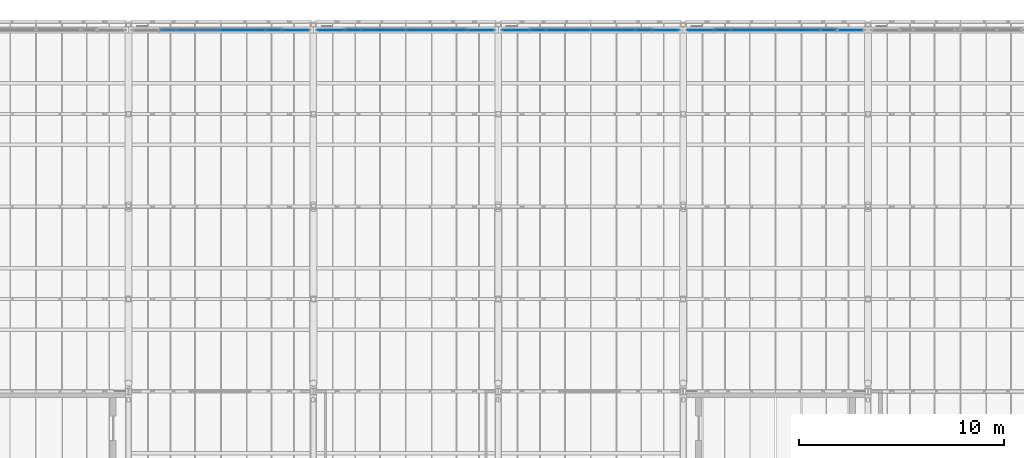
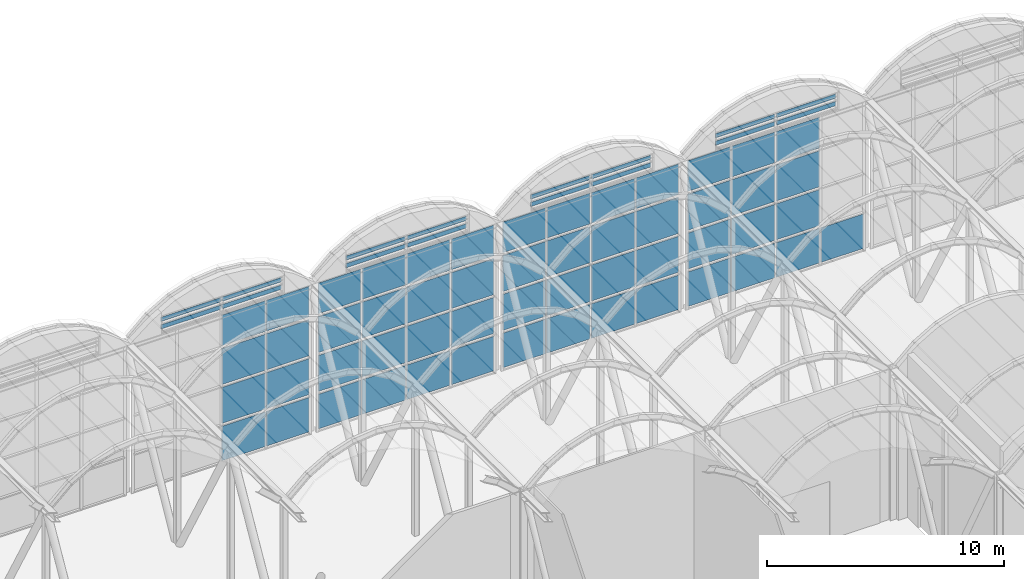
# One storey, part 122 of 144: 69 plates, 8 elements without a shape of their own.
"""IFC4 building model written with IfcOpenShell, lengths in metres."""

from ifc_helpers import new_model, si_unit, direction, frame, origin, origin_2d, place, context, subcontext, project, spatial, rectangle, extrude, material, layer, layer_set, type_object, element, aggregate, save


model = new_model("IFC4")

# Units and contexts
model_context = context("Model", 3, precision=1e-05, world=origin(), true_north=direction((0.0, 1.0)))
body_context = subcontext(model_context, "Body", "Model", "MODEL_VIEW")
ifc_project = project(units=[si_unit("LENGTHUNIT", "METRE"), si_unit("AREAUNIT", "SQUARE_METRE"), si_unit("VOLUMEUNIT", "CUBIC_METRE"), si_unit("PLANEANGLEUNIT", "RADIAN"), si_unit("MASSUNIT", "GRAM", prefix="KILO")], contexts=[model_context])

# Site, building, storey
site_placement = place(None, origin())
site = spatial("IfcSite", under=ifc_project, at=site_placement, CompositionType="ELEMENT")
building_placement = place(site_placement, origin())
building = spatial("IfcBuilding", under=site, at=building_placement, Name="Shorebreak Coast Museum", CompositionType="ELEMENT")
storey_placement = place(building_placement, frame((0.0, 0.0, 36.0)))
storey = spatial("IfcBuildingStorey", under=building, at=storey_placement, Name="L06", CompositionType="ELEMENT", Elevation=36.0)

# Curtain wall, plates
ifc_material_1 = material(Name="Aluminium", Category="aluminium")
ifc_layer_1 = layer(ifc_material_1, 0.14990234375)
ifc_layer_set_1 = layer_set([ifc_layer_1], Name="Aluminium")
curtain_wall_type_1 = type_object("IfcCurtainWallType", Name="Barrel end glazing", PredefinedType="NOTDEFINED", material=ifc_layer_set_1)
curtain_wall_1_placement = place(storey_placement, origin())
curtain_wall_1 = element("IfcCurtainWall", 1, at=curtain_wall_1_placement, inside=storey, type_object=curtain_wall_type_1, Name="Barrel end glazing L06 3", PredefinedType="NOTDEFINED")
ifc_material_2 = material(Name="Glass", Category="glass")
ifc_layer_2 = layer(ifc_material_2, 0.035888671875)
ifc_layer_set_2 = layer_set([ifc_layer_2], Name="Glass")
plate_type_1 = type_object("IfcPlateType", Name="Barrel glass panel 36", PredefinedType="CURTAIN_PANEL", material=ifc_layer_set_2)
plate_1_placement = place(storey_placement, frame((77.58447265625, 134.60009765625, 0.150146484375), z_axis=(0.0, 0.0, 1.0), x_axis=(1.0, 0.0, 0.0)))
plate_1 = element("IfcPlate", 2, at=plate_1_placement, type_object=plate_type_1, Name="CW7 panel 3.1", PredefinedType="CURTAIN_PANEL", context=body_context, shape_type="SweptSolid", body=[
    extrude(rectangle(XDim=2.10888671875, YDim=0.035888671875, at=origin_2d()), origin(), (0.0, 0.0, 1.0), 1.77490234375),
])
plate_2_placement = place(storey_placement, frame((77.58447265625, 134.60009765625, 2.074951171875), z_axis=(0.0, 0.0, 1.0), x_axis=(1.0, 0.0, 0.0)))
plate_2 = element("IfcPlate", 3, at=plate_2_placement, type_object=plate_type_1, Name="CW7 panel 3.2", PredefinedType="CURTAIN_PANEL", context=body_context, shape_type="SweptSolid", body=[
    extrude(rectangle(XDim=2.10888671875, YDim=0.035888671875, at=origin_2d()), origin(), (0.0, 0.0, 1.0), 1.85009765625),
])
plate_3_placement = place(storey_placement, frame((77.58447265625, 134.60009765625, 4.074951171875), z_axis=(0.0, 0.0, 1.0), x_axis=(1.0, 0.0, 0.0)))
plate_3 = element("IfcPlate", 4, at=plate_3_placement, type_object=plate_type_1, Name="CW7 panel 3.3", PredefinedType="CURTAIN_PANEL", context=body_context, shape_type="SweptSolid", body=[
    extrude(rectangle(XDim=2.10888671875, YDim=0.035888671875, at=origin_2d()), origin(), (0.0, 0.0, 1.0), 1.85009765625),
])
plate_4_placement = place(storey_placement, frame((77.58447265625, 134.60009765625, 6.0751953125), z_axis=(0.0, 0.0, 1.0), x_axis=(1.0, 0.0, 0.0)))
plate_4 = element("IfcPlate", 5, at=plate_4_placement, type_object=plate_type_1, Name="CW7 panel 3.4", PredefinedType="CURTAIN_PANEL", context=body_context, shape_type="SweptSolid", body=[
    extrude(rectangle(XDim=2.10888671875, YDim=0.035888671875, at=origin_2d()), origin(), (0.0, 0.0, 1.0), 1.574951171875),
])
plate_5_placement = place(storey_placement, frame((79.738525390625, 134.60009765625, 0.150146484375), z_axis=(0.0, 0.0, 1.0), x_axis=(1.0, 0.0, 0.0)))
plate_5 = element("IfcPlate", 6, at=plate_5_placement, type_object=plate_type_1, Name="CW7 panel 4.1", PredefinedType="CURTAIN_PANEL", context=body_context, shape_type="SweptSolid", body=[
    extrude(rectangle(XDim=2.0791015625, YDim=0.035888671875, at=origin_2d()), origin(), (0.0, 0.0, 1.0), 1.77490234375),
])
plate_6_placement = place(storey_placement, frame((79.738525390625, 134.60009765625, 2.074951171875), z_axis=(0.0, 0.0, 1.0), x_axis=(1.0, 0.0, 0.0)))
plate_6 = element("IfcPlate", 7, at=plate_6_placement, type_object=plate_type_1, Name="CW7 panel 4.2", PredefinedType="CURTAIN_PANEL", context=body_context, shape_type="SweptSolid", body=[
    extrude(rectangle(XDim=2.0791015625, YDim=0.035888671875, at=origin_2d()), origin(), (0.0, 0.0, 1.0), 1.85009765625),
])
plate_7_placement = place(storey_placement, frame((79.738525390625, 134.60009765625, 4.074951171875), z_axis=(0.0, 0.0, 1.0), x_axis=(1.0, 0.0, 0.0)))
plate_7 = element("IfcPlate", 8, at=plate_7_placement, type_object=plate_type_1, Name="CW7 panel 4.3", PredefinedType="CURTAIN_PANEL", context=body_context, shape_type="SweptSolid", body=[
    extrude(rectangle(XDim=2.0791015625, YDim=0.035888671875, at=origin_2d()), origin(), (0.0, 0.0, 1.0), 1.85009765625),
])
plate_8_placement = place(storey_placement, frame((79.738525390625, 134.60009765625, 6.0751953125), z_axis=(0.0, 0.0, 1.0), x_axis=(1.0, 0.0, 0.0)))
plate_8 = element("IfcPlate", 9, at=plate_8_placement, type_object=plate_type_1, Name="CW7 panel 4.4", PredefinedType="CURTAIN_PANEL", context=body_context, shape_type="SweptSolid", body=[
    extrude(rectangle(XDim=2.0791015625, YDim=0.035888671875, at=origin_2d()), origin(), (0.0, 0.0, 1.0), 1.574951171875),
])
aggregate(curtain_wall_1, [plate_1, plate_2, plate_3, plate_4, plate_5, plate_6, plate_7, plate_8])

curtain_wall_2_placement = place(storey_placement, origin())
curtain_wall_2 = element("IfcCurtainWall", 10, at=curtain_wall_2_placement, inside=storey, type_object=curtain_wall_type_1, Name="Barrel end glazing L06 4", PredefinedType="NOTDEFINED")
plate_9_placement = place(storey_placement, frame((82.261474609375, 134.60009765625, 0.150146484375), z_axis=(0.0, 0.0, 1.0), x_axis=(1.0, 0.0, 0.0)))
plate_9 = element("IfcPlate", 11, at=plate_9_placement, type_object=plate_type_1, Name="CW7 panel 1.1", PredefinedType="CURTAIN_PANEL", context=body_context, shape_type="SweptSolid", body=[
    extrude(rectangle(XDim=2.0791015625, YDim=0.035888671875, at=origin_2d()), origin(), (0.0, 0.0, 1.0), 1.77490234375),
])
plate_10_placement = place(storey_placement, frame((82.261474609375, 134.60009765625, 2.074951171875), z_axis=(0.0, 0.0, 1.0), x_axis=(1.0, 0.0, 0.0)))
plate_10 = element("IfcPlate", 12, at=plate_10_placement, type_object=plate_type_1, Name="CW7 panel 1.2", PredefinedType="CURTAIN_PANEL", context=body_context, shape_type="SweptSolid", body=[
    extrude(rectangle(XDim=2.0791015625, YDim=0.035888671875, at=origin_2d()), origin(), (0.0, 0.0, 1.0), 1.85009765625),
])
plate_11_placement = place(storey_placement, frame((82.261474609375, 134.60009765625, 4.074951171875), z_axis=(0.0, 0.0, 1.0), x_axis=(1.0, 0.0, 0.0)))
plate_11 = element("IfcPlate", 13, at=plate_11_placement, type_object=plate_type_1, Name="CW7 panel 1.3", PredefinedType="CURTAIN_PANEL", context=body_context, shape_type="SweptSolid", body=[
    extrude(rectangle(XDim=2.0791015625, YDim=0.035888671875, at=origin_2d()), origin(), (0.0, 0.0, 1.0), 1.85009765625),
])
plate_12_placement = place(storey_placement, frame((82.261474609375, 134.60009765625, 6.0751953125), z_axis=(0.0, 0.0, 1.0), x_axis=(1.0, 0.0, 0.0)))
plate_12 = element("IfcPlate", 14, at=plate_12_placement, type_object=plate_type_1, Name="CW7 panel 1.4", PredefinedType="CURTAIN_PANEL", context=body_context, shape_type="SweptSolid", body=[
    extrude(rectangle(XDim=2.0791015625, YDim=0.035888671875, at=origin_2d()), origin(), (0.0, 0.0, 1.0), 1.574951171875),
])
plate_13_placement = place(storey_placement, frame((84.41552734375, 134.60009765625, 0.150146484375), z_axis=(0.0, 0.0, 1.0), x_axis=(1.0, 0.0, 0.0)))
plate_13 = element("IfcPlate", 15, at=plate_13_placement, type_object=plate_type_1, Name="CW7 panel 2.1", PredefinedType="CURTAIN_PANEL", context=body_context, shape_type="SweptSolid", body=[
    extrude(rectangle(XDim=2.10888671875, YDim=0.035888671875, at=origin_2d()), origin(), (0.0, 0.0, 1.0), 1.77490234375),
])
plate_14_placement = place(storey_placement, frame((84.41552734375, 134.60009765625, 2.074951171875), z_axis=(0.0, 0.0, 1.0), x_axis=(1.0, 0.0, 0.0)))
plate_14 = element("IfcPlate", 16, at=plate_14_placement, type_object=plate_type_1, Name="CW7 panel 2.2", PredefinedType="CURTAIN_PANEL", context=body_context, shape_type="SweptSolid", body=[
    extrude(rectangle(XDim=2.10888671875, YDim=0.035888671875, at=origin_2d()), origin(), (0.0, 0.0, 1.0), 1.85009765625),
])
plate_15_placement = place(storey_placement, frame((84.41552734375, 134.60009765625, 4.074951171875), z_axis=(0.0, 0.0, 1.0), x_axis=(1.0, 0.0, 0.0)))
plate_15 = element("IfcPlate", 17, at=plate_15_placement, type_object=plate_type_1, Name="CW7 panel 2.3", PredefinedType="CURTAIN_PANEL", context=body_context, shape_type="SweptSolid", body=[
    extrude(rectangle(XDim=2.10888671875, YDim=0.035888671875, at=origin_2d()), origin(), (0.0, 0.0, 1.0), 1.85009765625),
])
plate_16_placement = place(storey_placement, frame((84.41552734375, 134.60009765625, 6.0751953125), z_axis=(0.0, 0.0, 1.0), x_axis=(1.0, 0.0, 0.0)))
plate_16 = element("IfcPlate", 18, at=plate_16_placement, type_object=plate_type_1, Name="CW7 panel 2.4", PredefinedType="CURTAIN_PANEL", context=body_context, shape_type="SweptSolid", body=[
    extrude(rectangle(XDim=2.10888671875, YDim=0.035888671875, at=origin_2d()), origin(), (0.0, 0.0, 1.0), 1.574951171875),
])
plate_17_placement = place(storey_placement, frame((86.58447265625, 134.60009765625, 0.150146484375), z_axis=(0.0, 0.0, 1.0), x_axis=(1.0, 0.0, 0.0)))
plate_17 = element("IfcPlate", 19, at=plate_17_placement, type_object=plate_type_1, Name="CW7 panel 3.1", PredefinedType="CURTAIN_PANEL", context=body_context, shape_type="SweptSolid", body=[
    extrude(rectangle(XDim=2.10888671875, YDim=0.035888671875, at=origin_2d()), origin(), (0.0, 0.0, 1.0), 1.77490234375),
])
plate_18_placement = place(storey_placement, frame((86.58447265625, 134.60009765625, 2.074951171875), z_axis=(0.0, 0.0, 1.0), x_axis=(1.0, 0.0, 0.0)))
plate_18 = element("IfcPlate", 20, at=plate_18_placement, type_object=plate_type_1, Name="CW7 panel 3.2", PredefinedType="CURTAIN_PANEL", context=body_context, shape_type="SweptSolid", body=[
    extrude(rectangle(XDim=2.10888671875, YDim=0.035888671875, at=origin_2d()), origin(), (0.0, 0.0, 1.0), 1.85009765625),
])
plate_19_placement = place(storey_placement, frame((86.58447265625, 134.60009765625, 4.074951171875), z_axis=(0.0, 0.0, 1.0), x_axis=(1.0, 0.0, 0.0)))
plate_19 = element("IfcPlate", 21, at=plate_19_placement, type_object=plate_type_1, Name="CW7 panel 3.3", PredefinedType="CURTAIN_PANEL", context=body_context, shape_type="SweptSolid", body=[
    extrude(rectangle(XDim=2.10888671875, YDim=0.035888671875, at=origin_2d()), origin(), (0.0, 0.0, 1.0), 1.85009765625),
])
plate_20_placement = place(storey_placement, frame((86.58447265625, 134.60009765625, 6.0751953125), z_axis=(0.0, 0.0, 1.0), x_axis=(1.0, 0.0, 0.0)))
plate_20 = element("IfcPlate", 22, at=plate_20_placement, type_object=plate_type_1, Name="CW7 panel 3.4", PredefinedType="CURTAIN_PANEL", context=body_context, shape_type="SweptSolid", body=[
    extrude(rectangle(XDim=2.10888671875, YDim=0.035888671875, at=origin_2d()), origin(), (0.0, 0.0, 1.0), 1.574951171875),
])
plate_21_placement = place(storey_placement, frame((88.738525390625, 134.60009765625, 0.150146484375), z_axis=(0.0, 0.0, 1.0), x_axis=(1.0, 0.0, 0.0)))
plate_21 = element("IfcPlate", 23, at=plate_21_placement, type_object=plate_type_1, Name="CW7 panel 4.1", PredefinedType="CURTAIN_PANEL", context=body_context, shape_type="SweptSolid", body=[
    extrude(rectangle(XDim=2.0791015625, YDim=0.035888671875, at=origin_2d()), origin(), (0.0, 0.0, 1.0), 1.77490234375),
])
plate_22_placement = place(storey_placement, frame((88.738525390625, 134.60009765625, 2.074951171875), z_axis=(0.0, 0.0, 1.0), x_axis=(1.0, 0.0, 0.0)))
plate_22 = element("IfcPlate", 24, at=plate_22_placement, type_object=plate_type_1, Name="CW7 panel 4.2", PredefinedType="CURTAIN_PANEL", context=body_context, shape_type="SweptSolid", body=[
    extrude(rectangle(XDim=2.0791015625, YDim=0.035888671875, at=origin_2d()), origin(), (0.0, 0.0, 1.0), 1.85009765625),
])
plate_23_placement = place(storey_placement, frame((88.738525390625, 134.60009765625, 4.074951171875), z_axis=(0.0, 0.0, 1.0), x_axis=(1.0, 0.0, 0.0)))
plate_23 = element("IfcPlate", 25, at=plate_23_placement, type_object=plate_type_1, Name="CW7 panel 4.3", PredefinedType="CURTAIN_PANEL", context=body_context, shape_type="SweptSolid", body=[
    extrude(rectangle(XDim=2.0791015625, YDim=0.035888671875, at=origin_2d()), origin(), (0.0, 0.0, 1.0), 1.85009765625),
])
plate_24_placement = place(storey_placement, frame((88.738525390625, 134.60009765625, 6.0751953125), z_axis=(0.0, 0.0, 1.0), x_axis=(1.0, 0.0, 0.0)))
plate_24 = element("IfcPlate", 26, at=plate_24_placement, type_object=plate_type_1, Name="CW7 panel 4.4", PredefinedType="CURTAIN_PANEL", context=body_context, shape_type="SweptSolid", body=[
    extrude(rectangle(XDim=2.0791015625, YDim=0.035888671875, at=origin_2d()), origin(), (0.0, 0.0, 1.0), 1.574951171875),
])
aggregate(curtain_wall_2, [plate_9, plate_10, plate_11, plate_12, plate_13, plate_14, plate_15, plate_16, plate_17, plate_18, plate_19, plate_20, plate_21, plate_22, plate_23, plate_24])

curtain_wall_3_placement = place(storey_placement, origin())
curtain_wall_3 = element("IfcCurtainWall", 27, at=curtain_wall_3_placement, inside=storey, type_object=curtain_wall_type_1, Name="Barrel end glazing L06 5", PredefinedType="NOTDEFINED")
plate_25_placement = place(storey_placement, frame((91.261474609375, 134.60009765625, 0.150146484375), z_axis=(0.0, 0.0, 1.0), x_axis=(1.0, 0.0, 0.0)))
plate_25 = element("IfcPlate", 28, at=plate_25_placement, type_object=plate_type_1, Name="CW7 panel 1.1", PredefinedType="CURTAIN_PANEL", context=body_context, shape_type="SweptSolid", body=[
    extrude(rectangle(XDim=2.0791015625, YDim=0.035888671875, at=origin_2d()), origin(), (0.0, 0.0, 1.0), 1.77490234375),
])
plate_26_placement = place(storey_placement, frame((91.261474609375, 134.60009765625, 2.074951171875), z_axis=(0.0, 0.0, 1.0), x_axis=(1.0, 0.0, 0.0)))
plate_26 = element("IfcPlate", 29, at=plate_26_placement, type_object=plate_type_1, Name="CW7 panel 1.2", PredefinedType="CURTAIN_PANEL", context=body_context, shape_type="SweptSolid", body=[
    extrude(rectangle(XDim=2.0791015625, YDim=0.035888671875, at=origin_2d()), origin(), (0.0, 0.0, 1.0), 1.85009765625),
])
plate_27_placement = place(storey_placement, frame((91.261474609375, 134.60009765625, 4.074951171875), z_axis=(0.0, 0.0, 1.0), x_axis=(1.0, 0.0, 0.0)))
plate_27 = element("IfcPlate", 30, at=plate_27_placement, type_object=plate_type_1, Name="CW7 panel 1.3", PredefinedType="CURTAIN_PANEL", context=body_context, shape_type="SweptSolid", body=[
    extrude(rectangle(XDim=2.0791015625, YDim=0.035888671875, at=origin_2d()), origin(), (0.0, 0.0, 1.0), 1.85009765625),
])
plate_28_placement = place(storey_placement, frame((91.261474609375, 134.60009765625, 6.0751953125), z_axis=(0.0, 0.0, 1.0), x_axis=(1.0, 0.0, 0.0)))
plate_28 = element("IfcPlate", 31, at=plate_28_placement, type_object=plate_type_1, Name="CW7 panel 1.4", PredefinedType="CURTAIN_PANEL", context=body_context, shape_type="SweptSolid", body=[
    extrude(rectangle(XDim=2.0791015625, YDim=0.035888671875, at=origin_2d()), origin(), (0.0, 0.0, 1.0), 1.574951171875),
])
plate_29_placement = place(storey_placement, frame((93.41552734375, 134.60009765625, 0.150146484375), z_axis=(0.0, 0.0, 1.0), x_axis=(1.0, 0.0, 0.0)))
plate_29 = element("IfcPlate", 32, at=plate_29_placement, type_object=plate_type_1, Name="CW7 panel 2.1", PredefinedType="CURTAIN_PANEL", context=body_context, shape_type="SweptSolid", body=[
    extrude(rectangle(XDim=2.10888671875, YDim=0.035888671875, at=origin_2d()), origin(), (0.0, 0.0, 1.0), 1.77490234375),
])
plate_30_placement = place(storey_placement, frame((93.41552734375, 134.60009765625, 2.074951171875), z_axis=(0.0, 0.0, 1.0), x_axis=(1.0, 0.0, 0.0)))
plate_30 = element("IfcPlate", 33, at=plate_30_placement, type_object=plate_type_1, Name="CW7 panel 2.2", PredefinedType="CURTAIN_PANEL", context=body_context, shape_type="SweptSolid", body=[
    extrude(rectangle(XDim=2.10888671875, YDim=0.035888671875, at=origin_2d()), origin(), (0.0, 0.0, 1.0), 1.85009765625),
])
plate_31_placement = place(storey_placement, frame((93.41552734375, 134.60009765625, 4.074951171875), z_axis=(0.0, 0.0, 1.0), x_axis=(1.0, 0.0, 0.0)))
plate_31 = element("IfcPlate", 34, at=plate_31_placement, type_object=plate_type_1, Name="CW7 panel 2.3", PredefinedType="CURTAIN_PANEL", context=body_context, shape_type="SweptSolid", body=[
    extrude(rectangle(XDim=2.10888671875, YDim=0.035888671875, at=origin_2d()), origin(), (0.0, 0.0, 1.0), 1.85009765625),
])
plate_32_placement = place(storey_placement, frame((93.41552734375, 134.60009765625, 6.0751953125), z_axis=(0.0, 0.0, 1.0), x_axis=(1.0, 0.0, 0.0)))
plate_32 = element("IfcPlate", 35, at=plate_32_placement, type_object=plate_type_1, Name="CW7 panel 2.4", PredefinedType="CURTAIN_PANEL", context=body_context, shape_type="SweptSolid", body=[
    extrude(rectangle(XDim=2.10888671875, YDim=0.035888671875, at=origin_2d()), origin(), (0.0, 0.0, 1.0), 1.574951171875),
])
plate_33_placement = place(storey_placement, frame((95.58447265625, 134.60009765625, 0.150146484375), z_axis=(0.0, 0.0, 1.0), x_axis=(1.0, 0.0, 0.0)))
plate_33 = element("IfcPlate", 36, at=plate_33_placement, type_object=plate_type_1, Name="CW7 panel 3.1", PredefinedType="CURTAIN_PANEL", context=body_context, shape_type="SweptSolid", body=[
    extrude(rectangle(XDim=2.10888671875, YDim=0.035888671875, at=origin_2d()), origin(), (0.0, 0.0, 1.0), 1.77490234375),
])
plate_34_placement = place(storey_placement, frame((95.58447265625, 134.60009765625, 2.074951171875), z_axis=(0.0, 0.0, 1.0), x_axis=(1.0, 0.0, 0.0)))
plate_34 = element("IfcPlate", 37, at=plate_34_placement, type_object=plate_type_1, Name="CW7 panel 3.2", PredefinedType="CURTAIN_PANEL", context=body_context, shape_type="SweptSolid", body=[
    extrude(rectangle(XDim=2.10888671875, YDim=0.035888671875, at=origin_2d()), origin(), (0.0, 0.0, 1.0), 1.85009765625),
])
plate_35_placement = place(storey_placement, frame((95.58447265625, 134.60009765625, 4.074951171875), z_axis=(0.0, 0.0, 1.0), x_axis=(1.0, 0.0, 0.0)))
plate_35 = element("IfcPlate", 38, at=plate_35_placement, type_object=plate_type_1, Name="CW7 panel 3.3", PredefinedType="CURTAIN_PANEL", context=body_context, shape_type="SweptSolid", body=[
    extrude(rectangle(XDim=2.10888671875, YDim=0.035888671875, at=origin_2d()), origin(), (0.0, 0.0, 1.0), 1.85009765625),
])
plate_36_placement = place(storey_placement, frame((95.58447265625, 134.60009765625, 6.0751953125), z_axis=(0.0, 0.0, 1.0), x_axis=(1.0, 0.0, 0.0)))
plate_36 = element("IfcPlate", 39, at=plate_36_placement, type_object=plate_type_1, Name="CW7 panel 3.4", PredefinedType="CURTAIN_PANEL", context=body_context, shape_type="SweptSolid", body=[
    extrude(rectangle(XDim=2.10888671875, YDim=0.035888671875, at=origin_2d()), origin(), (0.0, 0.0, 1.0), 1.574951171875),
])
plate_37_placement = place(storey_placement, frame((97.738525390625, 134.60009765625, 0.150146484375), z_axis=(0.0, 0.0, 1.0), x_axis=(1.0, 0.0, 0.0)))
plate_37 = element("IfcPlate", 40, at=plate_37_placement, type_object=plate_type_1, Name="CW7 panel 4.1", PredefinedType="CURTAIN_PANEL", context=body_context, shape_type="SweptSolid", body=[
    extrude(rectangle(XDim=2.0791015625, YDim=0.035888671875, at=origin_2d()), origin(), (0.0, 0.0, 1.0), 1.77490234375),
])
plate_38_placement = place(storey_placement, frame((97.738525390625, 134.60009765625, 2.074951171875), z_axis=(0.0, 0.0, 1.0), x_axis=(1.0, 0.0, 0.0)))
plate_38 = element("IfcPlate", 41, at=plate_38_placement, type_object=plate_type_1, Name="CW7 panel 4.2", PredefinedType="CURTAIN_PANEL", context=body_context, shape_type="SweptSolid", body=[
    extrude(rectangle(XDim=2.0791015625, YDim=0.035888671875, at=origin_2d()), origin(), (0.0, 0.0, 1.0), 1.85009765625),
])
plate_39_placement = place(storey_placement, frame((97.738525390625, 134.60009765625, 4.074951171875), z_axis=(0.0, 0.0, 1.0), x_axis=(1.0, 0.0, 0.0)))
plate_39 = element("IfcPlate", 42, at=plate_39_placement, type_object=plate_type_1, Name="CW7 panel 4.3", PredefinedType="CURTAIN_PANEL", context=body_context, shape_type="SweptSolid", body=[
    extrude(rectangle(XDim=2.0791015625, YDim=0.035888671875, at=origin_2d()), origin(), (0.0, 0.0, 1.0), 1.85009765625),
])
plate_40_placement = place(storey_placement, frame((97.738525390625, 134.60009765625, 6.0751953125), z_axis=(0.0, 0.0, 1.0), x_axis=(1.0, 0.0, 0.0)))
plate_40 = element("IfcPlate", 43, at=plate_40_placement, type_object=plate_type_1, Name="CW7 panel 4.4", PredefinedType="CURTAIN_PANEL", context=body_context, shape_type="SweptSolid", body=[
    extrude(rectangle(XDim=2.0791015625, YDim=0.035888671875, at=origin_2d()), origin(), (0.0, 0.0, 1.0), 1.574951171875),
])
aggregate(curtain_wall_3, [plate_25, plate_26, plate_27, plate_28, plate_29, plate_30, plate_31, plate_32, plate_33, plate_34, plate_35, plate_36, plate_37, plate_38, plate_39, plate_40])

curtain_wall_4_placement = place(storey_placement, origin())
curtain_wall_4 = element("IfcCurtainWall", 44, at=curtain_wall_4_placement, inside=storey, type_object=curtain_wall_type_1, Name="Barrel end glazing L06 6", PredefinedType="NOTDEFINED")
plate_41_placement = place(storey_placement, frame((100.261474609375, 134.60009765625, 0.150146484375), z_axis=(0.0, 0.0, 1.0), x_axis=(1.0, 0.0, 0.0)))
plate_41 = element("IfcPlate", 45, at=plate_41_placement, type_object=plate_type_1, Name="CW7 panel 1.1", PredefinedType="CURTAIN_PANEL", context=body_context, shape_type="SweptSolid", body=[
    extrude(rectangle(XDim=2.0791015625, YDim=0.035888671875, at=origin_2d()), origin(), (0.0, 0.0, 1.0), 1.77490234375),
])
plate_42_placement = place(storey_placement, frame((100.261474609375, 134.60009765625, 2.074951171875), z_axis=(0.0, 0.0, 1.0), x_axis=(1.0, 0.0, 0.0)))
plate_42 = element("IfcPlate", 46, at=plate_42_placement, type_object=plate_type_1, Name="CW7 panel 1.2", PredefinedType="CURTAIN_PANEL", context=body_context, shape_type="SweptSolid", body=[
    extrude(rectangle(XDim=2.0791015625, YDim=0.035888671875, at=origin_2d()), origin(), (0.0, 0.0, 1.0), 1.85009765625),
])
plate_43_placement = place(storey_placement, frame((100.261474609375, 134.60009765625, 4.074951171875), z_axis=(0.0, 0.0, 1.0), x_axis=(1.0, 0.0, 0.0)))
plate_43 = element("IfcPlate", 47, at=plate_43_placement, type_object=plate_type_1, Name="CW7 panel 1.3", PredefinedType="CURTAIN_PANEL", context=body_context, shape_type="SweptSolid", body=[
    extrude(rectangle(XDim=2.0791015625, YDim=0.035888671875, at=origin_2d()), origin(), (0.0, 0.0, 1.0), 1.85009765625),
])
plate_44_placement = place(storey_placement, frame((100.261474609375, 134.60009765625, 6.0751953125), z_axis=(0.0, 0.0, 1.0), x_axis=(1.0, 0.0, 0.0)))
plate_44 = element("IfcPlate", 48, at=plate_44_placement, type_object=plate_type_1, Name="CW7 panel 1.4", PredefinedType="CURTAIN_PANEL", context=body_context, shape_type="SweptSolid", body=[
    extrude(rectangle(XDim=2.0791015625, YDim=0.035888671875, at=origin_2d()), origin(), (0.0, 0.0, 1.0), 1.574951171875),
])
plate_45_placement = place(storey_placement, frame((102.41552734375, 134.60009765625, 0.150146484375), z_axis=(0.0, 0.0, 1.0), x_axis=(1.0, 0.0, 0.0)))
plate_45 = element("IfcPlate", 49, at=plate_45_placement, type_object=plate_type_1, Name="CW7 panel 2.1", PredefinedType="CURTAIN_PANEL", context=body_context, shape_type="SweptSolid", body=[
    extrude(rectangle(XDim=2.10888671875, YDim=0.035888671875, at=origin_2d()), origin(), (0.0, 0.0, 1.0), 1.77490234375),
])
plate_46_placement = place(storey_placement, frame((102.41552734375, 134.60009765625, 2.074951171875), z_axis=(0.0, 0.0, 1.0), x_axis=(1.0, 0.0, 0.0)))
plate_46 = element("IfcPlate", 50, at=plate_46_placement, type_object=plate_type_1, Name="CW7 panel 2.2", PredefinedType="CURTAIN_PANEL", context=body_context, shape_type="SweptSolid", body=[
    extrude(rectangle(XDim=2.10888671875, YDim=0.035888671875, at=origin_2d()), origin(), (0.0, 0.0, 1.0), 1.85009765625),
])
plate_47_placement = place(storey_placement, frame((102.41552734375, 134.60009765625, 4.074951171875), z_axis=(0.0, 0.0, 1.0), x_axis=(1.0, 0.0, 0.0)))
plate_47 = element("IfcPlate", 51, at=plate_47_placement, type_object=plate_type_1, Name="CW7 panel 2.3", PredefinedType="CURTAIN_PANEL", context=body_context, shape_type="SweptSolid", body=[
    extrude(rectangle(XDim=2.10888671875, YDim=0.035888671875, at=origin_2d()), origin(), (0.0, 0.0, 1.0), 1.85009765625),
])
plate_48_placement = place(storey_placement, frame((102.41552734375, 134.60009765625, 6.0751953125), z_axis=(0.0, 0.0, 1.0), x_axis=(1.0, 0.0, 0.0)))
plate_48 = element("IfcPlate", 52, at=plate_48_placement, type_object=plate_type_1, Name="CW7 panel 2.4", PredefinedType="CURTAIN_PANEL", context=body_context, shape_type="SweptSolid", body=[
    extrude(rectangle(XDim=2.10888671875, YDim=0.035888671875, at=origin_2d()), origin(), (0.0, 0.0, 1.0), 1.574951171875),
])
plate_49_placement = place(storey_placement, frame((104.58447265625, 134.60009765625, 0.150146484375), z_axis=(0.0, 0.0, 1.0), x_axis=(1.0, 0.0, 0.0)))
plate_49 = element("IfcPlate", 53, at=plate_49_placement, type_object=plate_type_1, Name="CW7 panel 3.1", PredefinedType="CURTAIN_PANEL", context=body_context, shape_type="SweptSolid", body=[
    extrude(rectangle(XDim=2.10888671875, YDim=0.035888671875, at=origin_2d()), origin(), (0.0, 0.0, 1.0), 1.77490234375),
])
plate_50_placement = place(storey_placement, frame((104.58447265625, 134.60009765625, 2.074951171875), z_axis=(0.0, 0.0, 1.0), x_axis=(1.0, 0.0, 0.0)))
plate_50 = element("IfcPlate", 54, at=plate_50_placement, type_object=plate_type_1, Name="CW7 panel 3.2", PredefinedType="CURTAIN_PANEL", context=body_context, shape_type="SweptSolid", body=[
    extrude(rectangle(XDim=2.10888671875, YDim=0.035888671875, at=origin_2d()), origin(), (0.0, 0.0, 1.0), 1.85009765625),
])
plate_51_placement = place(storey_placement, frame((104.58447265625, 134.60009765625, 4.074951171875), z_axis=(0.0, 0.0, 1.0), x_axis=(1.0, 0.0, 0.0)))
plate_51 = element("IfcPlate", 55, at=plate_51_placement, type_object=plate_type_1, Name="CW7 panel 3.3", PredefinedType="CURTAIN_PANEL", context=body_context, shape_type="SweptSolid", body=[
    extrude(rectangle(XDim=2.10888671875, YDim=0.035888671875, at=origin_2d()), origin(), (0.0, 0.0, 1.0), 1.85009765625),
])
plate_52_placement = place(storey_placement, frame((104.58447265625, 134.60009765625, 6.0751953125), z_axis=(0.0, 0.0, 1.0), x_axis=(1.0, 0.0, 0.0)))
plate_52 = element("IfcPlate", 56, at=plate_52_placement, type_object=plate_type_1, Name="CW7 panel 3.4", PredefinedType="CURTAIN_PANEL", context=body_context, shape_type="SweptSolid", body=[
    extrude(rectangle(XDim=2.10888671875, YDim=0.035888671875, at=origin_2d()), origin(), (0.0, 0.0, 1.0), 1.574951171875),
])
plate_53_placement = place(storey_placement, frame((106.738525390625, 134.60009765625, 0.150146484375), z_axis=(0.0, 0.0, 1.0), x_axis=(1.0, 0.0, 0.0)))
plate_53 = element("IfcPlate", 57, at=plate_53_placement, type_object=plate_type_1, Name="CW7 panel 4.1", PredefinedType="CURTAIN_PANEL", context=body_context, shape_type="SweptSolid", body=[
    extrude(rectangle(XDim=2.0791015625, YDim=0.035888671875, at=origin_2d()), origin(), (0.0, 0.0, 1.0), 1.77490234375),
])
aggregate(curtain_wall_4, [plate_41, plate_42, plate_43, plate_44, plate_45, plate_46, plate_47, plate_48, plate_49, plate_50, plate_51, plate_52, plate_53])

ifc_material_3 = material(Name="Aluminium", Category="aluminium")
ifc_layer_3 = layer(ifc_material_3, 0.175048828125)
ifc_layer_set_3 = layer_set([ifc_layer_3], Name="Aluminium")
curtain_wall_type_2 = type_object("IfcCurtainWallType", Name="Gable curtain wall", PredefinedType="NOTDEFINED", material=ifc_layer_set_3)
curtain_wall_5_placement = place(storey_placement, origin())
curtain_wall_5 = element("IfcCurtainWall", 58, at=curtain_wall_5_placement, inside=storey, type_object=curtain_wall_type_2, Name="Vault arch glazing V3", PredefinedType="NOTDEFINED")
ifc_material_4 = material(Name="Glass", Category="glass")
ifc_layer_4 = layer(ifc_material_4, 0.0400390625)
ifc_layer_set_4 = layer_set([ifc_layer_4], Name="Glass")
plate_type_2 = type_object("IfcPlateType", Name="Gable glass panel 40", PredefinedType="CURTAIN_PANEL", material=ifc_layer_set_4)
plate_54_placement = place(storey_placement, frame((75.014892578125, 134.60009765625, 7.97509765625), z_axis=(0.0, 0.0, 1.0), x_axis=(1.0, 0.0, 0.0)))
plate_54 = element("IfcPlate", 59, at=plate_54_placement, type_object=plate_type_2, Name="CW9 panel 1.1", PredefinedType="CURTAIN_PANEL", context=body_context, shape_type="SweptSolid", body=[
    extrude(rectangle(XDim=2.909912109375, YDim=0.0400390625, at=origin_2d()), origin(), (0.0, 0.0, 1.0), 0.21240234375),
])
plate_55_placement = place(storey_placement, frame((75.014892578125, 134.60009765625, 8.362548828125), z_axis=(0.0, 0.0, 1.0), x_axis=(1.0, 0.0, 0.0)))
plate_55 = element("IfcPlate", 60, at=plate_55_placement, type_object=plate_type_2, Name="CW9 panel 1.2", PredefinedType="CURTAIN_PANEL", context=body_context, shape_type="SweptSolid", body=[
    extrude(rectangle(XDim=2.909912109375, YDim=0.0400390625, at=origin_2d()), origin(), (0.0, 0.0, 1.0), 0.21240234375),
])
plate_56_placement = place(storey_placement, frame((77.985107421875, 134.60009765625, 7.97509765625), z_axis=(0.0, 0.0, 1.0), x_axis=(1.0, 0.0, 0.0)))
plate_56 = element("IfcPlate", 61, at=plate_56_placement, type_object=plate_type_2, Name="CW9 panel 2.1", PredefinedType="CURTAIN_PANEL", context=body_context, shape_type="SweptSolid", body=[
    extrude(rectangle(XDim=2.909912109375, YDim=0.0400390625, at=origin_2d()), origin(), (0.0, 0.0, 1.0), 0.21240234375),
])
plate_57_placement = place(storey_placement, frame((77.985107421875, 134.60009765625, 8.362548828125), z_axis=(0.0, 0.0, 1.0), x_axis=(1.0, 0.0, 0.0)))
plate_57 = element("IfcPlate", 62, at=plate_57_placement, type_object=plate_type_2, Name="CW9 panel 2.2", PredefinedType="CURTAIN_PANEL", context=body_context, shape_type="SweptSolid", body=[
    extrude(rectangle(XDim=2.909912109375, YDim=0.0400390625, at=origin_2d()), origin(), (0.0, 0.0, 1.0), 0.21240234375),
])
aggregate(curtain_wall_5, [plate_54, plate_55, plate_56, plate_57])

curtain_wall_6_placement = place(storey_placement, origin())
curtain_wall_6 = element("IfcCurtainWall", 63, at=curtain_wall_6_placement, inside=storey, type_object=curtain_wall_type_2, Name="Vault arch glazing V4", PredefinedType="NOTDEFINED")
plate_58_placement = place(storey_placement, frame((84.014892578125, 134.60009765625, 7.97509765625), z_axis=(0.0, 0.0, 1.0), x_axis=(1.0, 0.0, 0.0)))
plate_58 = element("IfcPlate", 64, at=plate_58_placement, type_object=plate_type_2, Name="CW9 panel 1.1", PredefinedType="CURTAIN_PANEL", context=body_context, shape_type="SweptSolid", body=[
    extrude(rectangle(XDim=2.909912109375, YDim=0.0400390625, at=origin_2d()), origin(), (0.0, 0.0, 1.0), 0.21240234375),
])
plate_59_placement = place(storey_placement, frame((84.014892578125, 134.60009765625, 8.362548828125), z_axis=(0.0, 0.0, 1.0), x_axis=(1.0, 0.0, 0.0)))
plate_59 = element("IfcPlate", 65, at=plate_59_placement, type_object=plate_type_2, Name="CW9 panel 1.2", PredefinedType="CURTAIN_PANEL", context=body_context, shape_type="SweptSolid", body=[
    extrude(rectangle(XDim=2.909912109375, YDim=0.0400390625, at=origin_2d()), origin(), (0.0, 0.0, 1.0), 0.21240234375),
])
plate_60_placement = place(storey_placement, frame((86.985107421875, 134.60009765625, 7.97509765625), z_axis=(0.0, 0.0, 1.0), x_axis=(1.0, 0.0, 0.0)))
plate_60 = element("IfcPlate", 66, at=plate_60_placement, type_object=plate_type_2, Name="CW9 panel 2.1", PredefinedType="CURTAIN_PANEL", context=body_context, shape_type="SweptSolid", body=[
    extrude(rectangle(XDim=2.909912109375, YDim=0.0400390625, at=origin_2d()), origin(), (0.0, 0.0, 1.0), 0.21240234375),
])
plate_61_placement = place(storey_placement, frame((86.985107421875, 134.60009765625, 8.362548828125), z_axis=(0.0, 0.0, 1.0), x_axis=(1.0, 0.0, 0.0)))
plate_61 = element("IfcPlate", 67, at=plate_61_placement, type_object=plate_type_2, Name="CW9 panel 2.2", PredefinedType="CURTAIN_PANEL", context=body_context, shape_type="SweptSolid", body=[
    extrude(rectangle(XDim=2.909912109375, YDim=0.0400390625, at=origin_2d()), origin(), (0.0, 0.0, 1.0), 0.21240234375),
])
aggregate(curtain_wall_6, [plate_58, plate_59, plate_60, plate_61])

curtain_wall_7_placement = place(storey_placement, origin())
curtain_wall_7 = element("IfcCurtainWall", 68, at=curtain_wall_7_placement, inside=storey, type_object=curtain_wall_type_2, Name="Vault arch glazing V5", PredefinedType="NOTDEFINED")
plate_62_placement = place(storey_placement, frame((93.014892578125, 134.60009765625, 7.97509765625), z_axis=(0.0, 0.0, 1.0), x_axis=(1.0, 0.0, 0.0)))
plate_62 = element("IfcPlate", 69, at=plate_62_placement, type_object=plate_type_2, Name="CW9 panel 1.1", PredefinedType="CURTAIN_PANEL", context=body_context, shape_type="SweptSolid", body=[
    extrude(rectangle(XDim=2.909912109375, YDim=0.0400390625, at=origin_2d()), origin(), (0.0, 0.0, 1.0), 0.21240234375),
])
plate_63_placement = place(storey_placement, frame((93.014892578125, 134.60009765625, 8.362548828125), z_axis=(0.0, 0.0, 1.0), x_axis=(1.0, 0.0, 0.0)))
plate_63 = element("IfcPlate", 70, at=plate_63_placement, type_object=plate_type_2, Name="CW9 panel 1.2", PredefinedType="CURTAIN_PANEL", context=body_context, shape_type="SweptSolid", body=[
    extrude(rectangle(XDim=2.909912109375, YDim=0.0400390625, at=origin_2d()), origin(), (0.0, 0.0, 1.0), 0.21240234375),
])
plate_64_placement = place(storey_placement, frame((95.985107421875, 134.60009765625, 7.97509765625), z_axis=(0.0, 0.0, 1.0), x_axis=(1.0, 0.0, 0.0)))
plate_64 = element("IfcPlate", 71, at=plate_64_placement, type_object=plate_type_2, Name="CW9 panel 2.1", PredefinedType="CURTAIN_PANEL", context=body_context, shape_type="SweptSolid", body=[
    extrude(rectangle(XDim=2.909912109375, YDim=0.0400390625, at=origin_2d()), origin(), (0.0, 0.0, 1.0), 0.21240234375),
])
plate_65_placement = place(storey_placement, frame((95.985107421875, 134.60009765625, 8.362548828125), z_axis=(0.0, 0.0, 1.0), x_axis=(1.0, 0.0, 0.0)))
plate_65 = element("IfcPlate", 72, at=plate_65_placement, type_object=plate_type_2, Name="CW9 panel 2.2", PredefinedType="CURTAIN_PANEL", context=body_context, shape_type="SweptSolid", body=[
    extrude(rectangle(XDim=2.909912109375, YDim=0.0400390625, at=origin_2d()), origin(), (0.0, 0.0, 1.0), 0.21240234375),
])
aggregate(curtain_wall_7, [plate_62, plate_63, plate_64, plate_65])

curtain_wall_8_placement = place(storey_placement, origin())
curtain_wall_8 = element("IfcCurtainWall", 73, at=curtain_wall_8_placement, inside=storey, type_object=curtain_wall_type_2, Name="Vault arch glazing V6", PredefinedType="NOTDEFINED")
plate_66_placement = place(storey_placement, frame((102.014892578125, 134.60009765625, 7.97509765625), z_axis=(0.0, 0.0, 1.0), x_axis=(1.0, 0.0, 0.0)))
plate_66 = element("IfcPlate", 74, at=plate_66_placement, type_object=plate_type_2, Name="CW9 panel 1.1", PredefinedType="CURTAIN_PANEL", context=body_context, shape_type="SweptSolid", body=[
    extrude(rectangle(XDim=2.909912109375, YDim=0.0400390625, at=origin_2d()), origin(), (0.0, 0.0, 1.0), 0.21240234375),
])
plate_67_placement = place(storey_placement, frame((102.014892578125, 134.60009765625, 8.362548828125), z_axis=(0.0, 0.0, 1.0), x_axis=(1.0, 0.0, 0.0)))
plate_67 = element("IfcPlate", 75, at=plate_67_placement, type_object=plate_type_2, Name="CW9 panel 1.2", PredefinedType="CURTAIN_PANEL", context=body_context, shape_type="SweptSolid", body=[
    extrude(rectangle(XDim=2.909912109375, YDim=0.0400390625, at=origin_2d()), origin(), (0.0, 0.0, 1.0), 0.21240234375),
])
plate_68_placement = place(storey_placement, frame((104.985107421875, 134.60009765625, 7.97509765625), z_axis=(0.0, 0.0, 1.0), x_axis=(1.0, 0.0, 0.0)))
plate_68 = element("IfcPlate", 76, at=plate_68_placement, type_object=plate_type_2, Name="CW9 panel 2.1", PredefinedType="CURTAIN_PANEL", context=body_context, shape_type="SweptSolid", body=[
    extrude(rectangle(XDim=2.909912109375, YDim=0.0400390625, at=origin_2d()), origin(), (0.0, 0.0, 1.0), 0.21240234375),
])
plate_69_placement = place(storey_placement, frame((104.985107421875, 134.60009765625, 8.362548828125), z_axis=(0.0, 0.0, 1.0), x_axis=(1.0, 0.0, 0.0)))
plate_69 = element("IfcPlate", 77, at=plate_69_placement, type_object=plate_type_2, Name="CW9 panel 2.2", PredefinedType="CURTAIN_PANEL", context=body_context, shape_type="SweptSolid", body=[
    extrude(rectangle(XDim=2.909912109375, YDim=0.0400390625, at=origin_2d()), origin(), (0.0, 0.0, 1.0), 0.21240234375),
])
aggregate(curtain_wall_8, [plate_66, plate_67, plate_68, plate_69])

save(model, "model.ifc")
